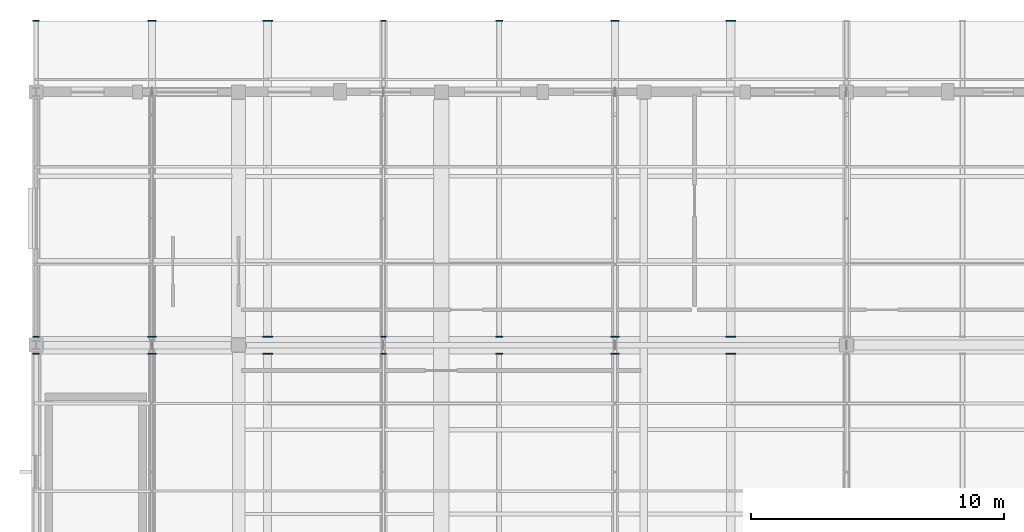
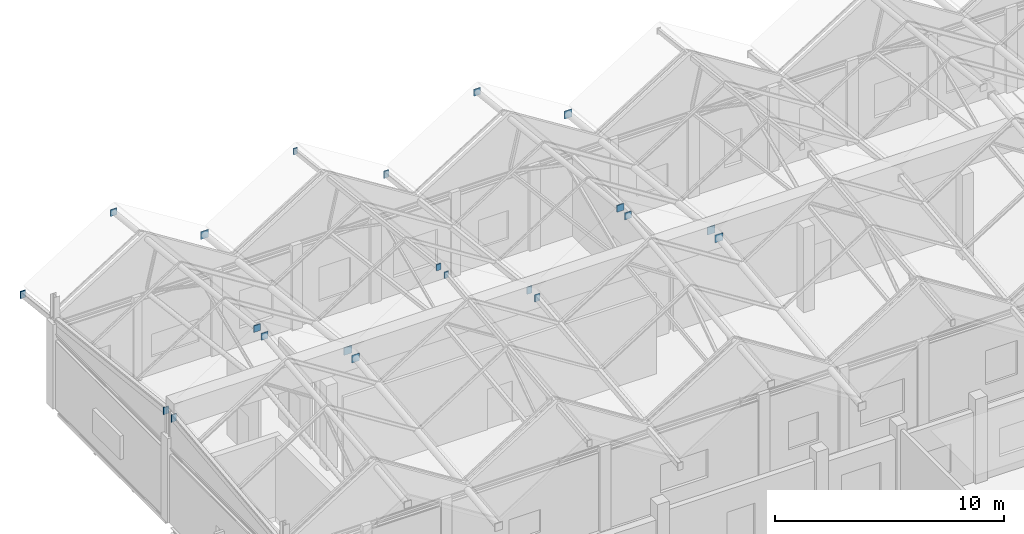
# One storey, part 159 of 183: 21 discrete accessories.
"""IFC4 building model written with IfcOpenShell, lengths in metres."""

from ifc_helpers import new_model, si_unit, direction, frame, origin, origin_2d, place, context, subcontext, project, spatial, rectangle, extrude, material, type_object, element, save


model = new_model("IFC4")

# Units and contexts
model_context = context("Model", 3, precision=1e-05, world=origin(), true_north=direction((0.0, 1.0)))
body_context = subcontext(model_context, "Body", "Model", "MODEL_VIEW")
ifc_project = project(units=[si_unit("LENGTHUNIT", "METRE"), si_unit("AREAUNIT", "SQUARE_METRE"), si_unit("VOLUMEUNIT", "CUBIC_METRE"), si_unit("PLANEANGLEUNIT", "RADIAN"), si_unit("MASSUNIT", "GRAM", prefix="KILO")], contexts=[model_context])

# Site, building, storey
site_placement = place(None, origin())
site = spatial("IfcSite", under=ifc_project, at=site_placement, CompositionType="ELEMENT")
building_placement = place(site_placement, origin())
building = spatial("IfcBuilding", under=site, at=building_placement, Name="Luwemba Playhouse", CompositionType="ELEMENT")
storey_placement = place(building_placement, frame((0.0, 0.0, 4.800048828125)))
storey = spatial("IfcBuildingStorey", under=building, at=storey_placement, Name="L01", CompositionType="ELEMENT", Elevation=4.800048828125)

# Discrete accessories
ifc_material = material(Name="Steel S355", Category="steel")
discrete_accessory_type = type_object("IfcDiscreteAccessoryType", Name="ACC-ENDCAP-S355", PredefinedType="BRACKET", material=ifc_material)
for number, where, z_axis, x_axis, name in (
    (1, (4.0, 104.664794921875, 5.370361328125), (0.0, 0.0, 1.0), (1.0, 0.0, 0.0), "Welded RHS end cap plate 0438"),
    (2, (4.0, 105.335205078125, 5.370361328125), (0.0, 0.0, 1.0), (1.0, 0.0, 0.0), "Welded RHS end cap plate 0439"),
    (3, (4.0, 117.81494140625, 3.970458984375), (0.0, 0.0, 1.0), (1.0, 0.0, 0.0), "Welded RHS end cap plate 0440"),
):
    element("IfcDiscreteAccessory", number, at=place(storey_placement, frame(where, z_axis=z_axis, x_axis=x_axis)), inside=storey, type_object=discrete_accessory_type, Name=name, PredefinedType="BRACKET", context=body_context, shape_type="SweptSolid", body=[
        extrude(rectangle(XDim=0.260009765625, YDim=0.044921875, at=origin_2d()), origin(), (0.0, 0.0, 1.0), 0.3798828125),
    ])
for number, where, z_axis, x_axis, name in (
    (4, (8.5712890625, 104.664794921875, 8.154541015625), (0.0, 0.0, 1.0), (1.0, 0.0, 0.0), "Welded RHS end cap plate 0442"),
    (5, (8.5712890625, 105.335205078125, 8.154541015625), (0.0, 0.0, 1.0), (1.0, 0.0, 0.0), "Welded RHS end cap plate 0443"),
    (6, (8.5712890625, 117.81494140625, 6.754638671875), (0.0, 0.0, 1.0), (1.0, 0.0, 0.0), "Welded RHS end cap plate 0444"),
):
    element("IfcDiscreteAccessory", number, at=place(storey_placement, frame(where, z_axis=z_axis, x_axis=x_axis)), inside=storey, type_object=discrete_accessory_type, Name=name, PredefinedType="BRACKET", context=body_context, shape_type="SweptSolid", body=[
        extrude(rectangle(XDim=0.3330078125, YDim=0.044921875, at=origin_2d()), origin(), (0.0, 0.0, 1.0), 0.35302734375),
    ])
for number, where, z_axis, x_axis, name in (
    (7, (13.142822265625, 104.664794921875, 5.3466796875), (0.0, 0.0, 1.0), (1.0, 0.0, 0.0), "Welded RHS end cap plate 0446"),
    (8, (13.142822265625, 105.335205078125, 5.3466796875), (0.0, 0.0, 1.0), (1.0, 0.0, 0.0), "Welded RHS end cap plate 0447"),
    (9, (13.142822265625, 117.81494140625, 3.94677734375), (0.0, 0.0, 1.0), (1.0, 0.0, 0.0), "Welded RHS end cap plate 0448"),
):
    element("IfcDiscreteAccessory", number, at=place(storey_placement, frame(where, z_axis=z_axis, x_axis=x_axis)), inside=storey, type_object=discrete_accessory_type, Name=name, PredefinedType="BRACKET", context=body_context, shape_type="SweptSolid", body=[
        extrude(rectangle(XDim=0.384033203125, YDim=0.044921875, at=origin_2d()), origin(), (0.0, 0.0, 1.0), 0.404052734375),
    ])
for number, where, z_axis, x_axis, name in (
    (10, (17.71435546875, 104.664794921875, 8.21630859375), (0.0, 0.0, 1.0), (1.0, 0.0, 0.0), "Welded RHS end cap plate 0450"),
    (11, (17.71435546875, 105.335205078125, 8.21630859375), (0.0, 0.0, 1.0), (1.0, 0.0, 0.0), "Welded RHS end cap plate 0451"),
    (12, (17.71435546875, 117.81494140625, 6.81640625), (0.0, 0.0, 1.0), (1.0, 0.0, 0.0), "Welded RHS end cap plate 0452"),
):
    element("IfcDiscreteAccessory", number, at=place(storey_placement, frame(where, z_axis=z_axis, x_axis=x_axis)), inside=storey, type_object=discrete_accessory_type, Name=name, PredefinedType="BRACKET", context=body_context, shape_type="SweptSolid", body=[
        extrude(rectangle(XDim=0.2099609375, YDim=0.044921875, at=origin_2d()), origin(), (0.0, 0.0, 1.0), 0.330078125),
    ])
for number, where, z_axis, x_axis, name in (
    (13, (22.28564453125, 104.664794921875, 5.370361328125), (0.0, 0.0, 1.0), (1.0, 0.0, 0.0), "Welded RHS end cap plate 0454"),
    (14, (22.28564453125, 105.335205078125, 5.370361328125), (0.0, 0.0, 1.0), (1.0, 0.0, 0.0), "Welded RHS end cap plate 0455"),
    (15, (22.28564453125, 117.81494140625, 3.970458984375), (0.0, 0.0, 1.0), (1.0, 0.0, 0.0), "Welded RHS end cap plate 0456"),
):
    element("IfcDiscreteAccessory", number, at=place(storey_placement, frame(where, z_axis=z_axis, x_axis=x_axis)), inside=storey, type_object=discrete_accessory_type, Name=name, PredefinedType="BRACKET", context=body_context, shape_type="SweptSolid", body=[
        extrude(rectangle(XDim=0.260009765625, YDim=0.044921875, at=origin_2d()), origin(), (0.0, 0.0, 1.0), 0.3798828125),
    ])
for number, where, z_axis, x_axis, name in (
    (16, (26.857177734375, 104.664794921875, 8.154541015625), (0.0, 0.0, 1.0), (1.0, 0.0, 0.0), "Welded RHS end cap plate 0458"),
    (17, (26.857177734375, 105.335205078125, 8.154541015625), (0.0, 0.0, 1.0), (1.0, 0.0, 0.0), "Welded RHS end cap plate 0459"),
    (18, (26.857177734375, 117.81494140625, 6.754638671875), (0.0, 0.0, 1.0), (1.0, 0.0, 0.0), "Welded RHS end cap plate 0460"),
):
    element("IfcDiscreteAccessory", number, at=place(storey_placement, frame(where, z_axis=z_axis, x_axis=x_axis)), inside=storey, type_object=discrete_accessory_type, Name=name, PredefinedType="BRACKET", context=body_context, shape_type="SweptSolid", body=[
        extrude(rectangle(XDim=0.3330078125, YDim=0.044921875, at=origin_2d()), origin(), (0.0, 0.0, 1.0), 0.35302734375),
    ])
for number, where, z_axis, x_axis, name in (
    (19, (31.4287109375, 104.664794921875, 5.3466796875), (0.0, 0.0, 1.0), (1.0, 0.0, 0.0), "Welded RHS end cap plate 0462"),
    (20, (31.4287109375, 105.335205078125, 5.3466796875), (0.0, 0.0, 1.0), (1.0, 0.0, 0.0), "Welded RHS end cap plate 0463"),
    (21, (31.4287109375, 117.81494140625, 3.9462890625), (0.0, 0.0, 1.0), (1.0, 0.0, 0.0), "Welded RHS end cap plate 0464"),
):
    element("IfcDiscreteAccessory", number, at=place(storey_placement, frame(where, z_axis=z_axis, x_axis=x_axis)), inside=storey, type_object=discrete_accessory_type, Name=name, PredefinedType="BRACKET", context=body_context, shape_type="SweptSolid", body=[
        extrude(rectangle(XDim=0.384033203125, YDim=0.044921875, at=origin_2d()), origin(), (0.0, 0.0, 1.0), 0.404052734375),
    ])

save(model, "model.ifc")
